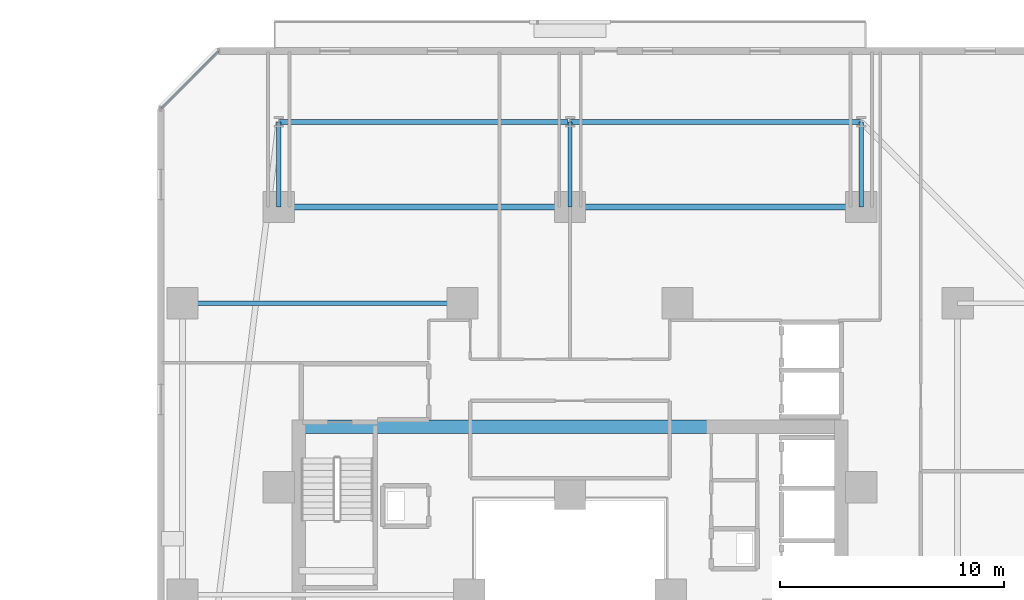
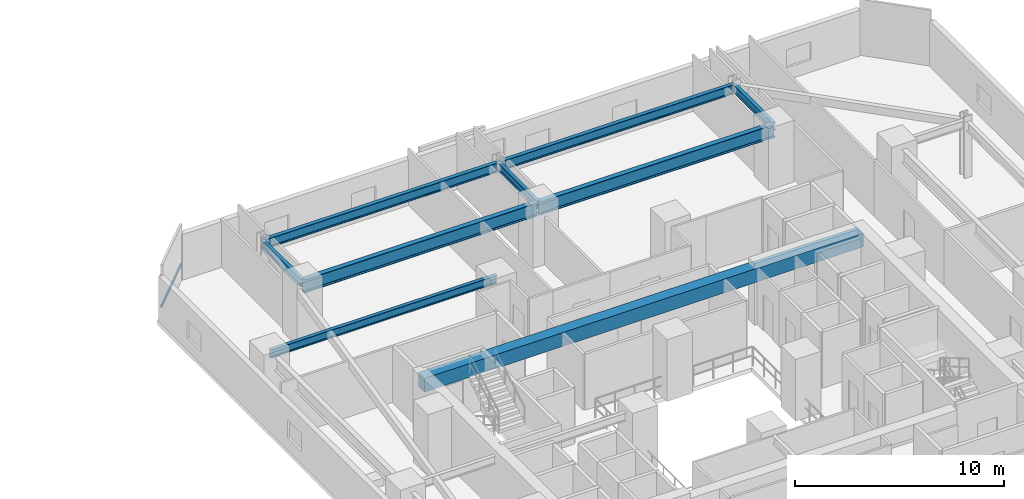
# One storey, part 16 of 36: 9 beams, 1 member, 1 element without a shape of its own.
"""IFC4 building model written with IfcOpenShell, lengths in metres."""

from ifc_helpers import new_model, si_unit, direction, frame, origin, origin_2d, place, context, subcontext, project, spatial, rectangle, hollow_rectangle, i_section, extrude, material, material_profile, profile_set, type_object, element, aggregate, save


model = new_model("IFC4")

# Units and contexts
model_context = context("Model", 3, precision=1e-05, world=origin(), true_north=direction((0.0, 1.0)))
body_context = subcontext(model_context, "Body", "Model", "MODEL_VIEW")
ifc_project = project(units=[si_unit("LENGTHUNIT", "METRE"), si_unit("AREAUNIT", "SQUARE_METRE"), si_unit("VOLUMEUNIT", "CUBIC_METRE"), si_unit("PLANEANGLEUNIT", "RADIAN"), si_unit("MASSUNIT", "GRAM", prefix="KILO")], contexts=[model_context])

# Site, building, storey
site_placement = place(None, origin())
site = spatial("IfcSite", under=ifc_project, at=site_placement, CompositionType="ELEMENT")
building_placement = place(site_placement, origin())
building = spatial("IfcBuilding", under=site, at=building_placement, Name="Thornwick Lancets Civic Towers", CompositionType="ELEMENT")
storey_placement = place(building_placement, frame((0.0, 0.0, 68.10009765625)))
storey = spatial("IfcBuildingStorey", under=building, at=storey_placement, Name="L17", CompositionType="ELEMENT", Elevation=68.10009765625)

# Beams
ifc_material_1 = material(Name="Concrete C60/75", Category="concrete")
ifc_material_profile_1 = material_profile(ifc_material_1, rectangle(XDim=0.60009765625, YDim=0.800048828125, at=origin_2d()), Name="RC 600x800")
ifc_profile_set_1 = profile_set([ifc_material_profile_1], Name="Concrete C60/75")
beam_type_1 = type_object("IfcBeamType", Name="BM_COUP_RC800", PredefinedType="BEAM", material=ifc_profile_set_1)
beam_1_placement = place(storey_placement, frame((76.39990234375, 34.5, 2.8798828125), z_axis=(1.0, 0.0, 0.0), x_axis=(0.0, 1.0, 0.0)))
element("IfcBeam", 1, at=beam_1_placement, inside=storey, type_object=beam_type_1, Name="CB-L17-B1", PredefinedType="BEAM", context=body_context, shape_type="SweptSolid", body=[
    extrude(rectangle(XDim=0.60009765625, YDim=0.800048828125, at=origin_2d()), origin(), (0.0, 0.0, 1.0), 24.2001953125),
])
ifc_material_2 = material(Name="Steel S355JR", Category="steel")
ifc_material_profile_2 = material_profile(ifc_material_2, i_section(OverallWidth=0.2119140625, OverallDepth=0.54443359375, WebThickness=0.0126953125, FlangeThickness=0.021240234375, FilletRadius=0.0126953125, at=origin_2d()), Name="UKB 533x210x122")
ifc_profile_set_2 = profile_set([ifc_material_profile_2], Name="Steel S355JR")
beam_type_2 = type_object("IfcBeamType", Name="BM_EDGE_533_122", PredefinedType="SPANDREL", material=ifc_profile_set_2)
beam_2_placement = place(storey_placement, frame((101.5, 48.10009765625, 3.007568359375), z_axis=(-1.0, 0.0, 0.0), x_axis=(0.0, -1.0, 0.0)))
element("IfcBeam", 2, at=beam_2_placement, inside=storey, type_object=beam_type_2, Name="BM-EDGE-L17-B-S1-1", PredefinedType="SPANDREL", context=body_context, shape_type="SweptSolid", body=[
    extrude(i_section(OverallWidth=0.2119140625, OverallDepth=0.54443359375, WebThickness=0.0126953125, FlangeThickness=0.021240234375, FilletRadius=0.0126953125, at=origin_2d()), origin(), (0.0, 0.0, 1.0), 13.0),
])
beam_3_placement = place(storey_placement, frame((88.419921875, 48.10009765625, 3.007568359375), z_axis=(-1.0, 0.0, 0.0), x_axis=(0.0, -1.0, 0.0)))
element("IfcBeam", 3, at=beam_3_placement, inside=storey, type_object=beam_type_2, Name="BM-EDGE-L17-B-S1-2", PredefinedType="SPANDREL", context=body_context, shape_type="SweptSolid", body=[
    extrude(i_section(OverallWidth=0.2119140625, OverallDepth=0.54443359375, WebThickness=0.0126953125, FlangeThickness=0.021240234375, FilletRadius=0.0126953125, at=origin_2d()), origin(), (0.0, 0.0, 1.0), 12.919921875),
])
ifc_material_profile_3 = material_profile(ifc_material_2, i_section(OverallWidth=0.26806640625, OverallDepth=0.769775390625, WebThickness=0.015625, FlangeThickness=0.025390625, FilletRadius=0.0166015625, at=origin_2d()), Name="UKB 762x267x197")
ifc_profile_set_3 = profile_set([ifc_material_profile_3], Name="Steel S355JR")
beam_type_3 = type_object("IfcBeamType", Name="BM_GIRD_762_197", PredefinedType="BEAM", material=ifc_profile_set_3)
beam_4_placement = place(storey_placement, frame((101.5, 44.300048828125, 2.89501953125), z_axis=(-1.0, 0.0, 0.0), x_axis=(0.0, -1.0, 0.0)))
element("IfcBeam", 4, at=beam_4_placement, inside=storey, type_object=beam_type_3, Name="BM-SPINE-L17-B-3-4", PredefinedType="BEAM", context=body_context, shape_type="SweptSolid", body=[
    extrude(i_section(OverallWidth=0.26806640625, OverallDepth=0.769775390625, WebThickness=0.015625, FlangeThickness=0.025390625, FilletRadius=0.0166015625, at=origin_2d()), origin(), (0.0, 0.0, 1.0), 13.0),
])
beam_5_placement = place(storey_placement, frame((88.419921875, 44.300048828125, 2.89501953125), z_axis=(-1.0, 0.0, 0.0), x_axis=(0.0, -1.0, 0.0)))
element("IfcBeam", 5, at=beam_5_placement, inside=storey, type_object=beam_type_3, Name="BM-SPINE-L17-B-4-5", PredefinedType="BEAM", context=body_context, shape_type="SweptSolid", body=[
    extrude(i_section(OverallWidth=0.26806640625, OverallDepth=0.769775390625, WebThickness=0.015625, FlangeThickness=0.025390625, FilletRadius=0.0166015625, at=origin_2d()), origin(), (0.0, 0.0, 1.0), 12.919921875),
])
ifc_material_profile_4 = material_profile(ifc_material_2, i_section(OverallWidth=0.19287109375, OverallDepth=0.46728515625, WebThickness=0.011474609375, FlangeThickness=0.01953125, FilletRadius=0.01025390625, at=origin_2d()), Name="UKB 457x191x98")
ifc_profile_set_4 = profile_set([ifc_material_profile_4], Name="Steel S355JR")
beam_type_4 = type_object("IfcBeamType", Name="BM_JOIST_457_98", PredefinedType="JOIST", material=ifc_profile_set_4)
for number, where, z_axis, x_axis, name in (
    (6, (101.5, 44.300048828125, 3.04638671875), (0.0, 1.0, 0.0), (-1.0, 0.0, 0.0), "BM-RAD-L17-B04"),
    (7, (88.5, 44.300048828125, 3.04638671875), (0.0, 1.0, 0.0), (-1.0, 0.0, 0.0), "BM-RAD-L17-B05"),
    (8, (75.5, 44.300048828125, 3.04638671875), (0.0, 1.0, 0.0), (-1.0, 0.0, 0.0), "BM-RAD-L17-B06"),
):
    element("IfcBeam", number, at=place(storey_placement, frame(where, z_axis=z_axis, x_axis=x_axis)), inside=storey, type_object=beam_type_4, Name=name, PredefinedType="JOIST", context=body_context, shape_type="SweptSolid", body=[
        extrude(i_section(OverallWidth=0.19287109375, OverallDepth=0.46728515625, WebThickness=0.011474609375, FlangeThickness=0.01953125, FilletRadius=0.01025390625, at=origin_2d()), origin(), (0.0, 0.0, 1.0), 3.800048828125),
    ])
beam_6_placement = place(storey_placement, frame((83.699951171875, 40.0, 3.04638671875), z_axis=(-1.0, 0.0, 0.0), x_axis=(0.0, -1.0, 0.0)))
element("IfcBeam", 9, at=beam_6_placement, inside=storey, type_object=beam_type_4, Name="BM-RADIN-L17-B09", PredefinedType="JOIST", context=body_context, shape_type="SweptSolid", body=[
    extrude(i_section(OverallWidth=0.19287109375, OverallDepth=0.46728515625, WebThickness=0.011474609375, FlangeThickness=0.01953125, FilletRadius=0.01025390625, at=origin_2d()), origin(), (0.0, 0.0, 1.0), 12.5),
])

# Curtain wall, member
ifc_material_3 = material(Name="Low-zone chamfered-corner unitised glass curtain wall", Category="glass")
curtain_wall_type = type_object("IfcCurtainWallType", Name="CW_SYS_03", PredefinedType="NOTDEFINED", material=ifc_material_3)
curtain_wall_placement = place(storey_placement, origin())
curtain_wall = element("IfcCurtainWall", 10, at=curtain_wall_placement, inside=storey, type_object=curtain_wall_type, Name="L17 Curtain Wall CW-L17-B-E5", PredefinedType="NOTDEFINED")
ifc_material_4 = material(Name="Thermally broken bronze aluminium S355", Category="steel")
ifc_material_profile_5 = material_profile(ifc_material_4, hollow_rectangle(XDim=0.074951171875, YDim=0.14990234375, WallThickness=0.0048828125, at=origin_2d()), Name="RHS 150x75x5")
ifc_profile_set_5 = profile_set([ifc_material_profile_5], Name="Thermally broken bronze aluminium S355")
member_type = type_object("IfcMemberType", Name="CW_TRN_150", PredefinedType="USERDEFINED", material=ifc_profile_set_5)
member_placement = place(storey_placement, frame((72.8046875, 51.250732421875, 0.849853515625), z_axis=(-0.707106781187, -0.707106781187, 0.0), x_axis=(0.707106781187, -0.707106781187, 0.0)))
member = element("IfcMember", 11, at=member_placement, type_object=member_type, Name="CW-L17-B-E5 Transom 0", ObjectType="TRANSOM", PredefinedType="USERDEFINED", context=body_context, shape_type="SweptSolid", body=[
    extrude(hollow_rectangle(XDim=0.074951171875, YDim=0.14990234375, WallThickness=0.0048828125, at=origin_2d()), origin(), (0.0, 0.0, 1.0), 3.614013671875),
])
aggregate(curtain_wall, [member])

save(model, "model.ifc")
